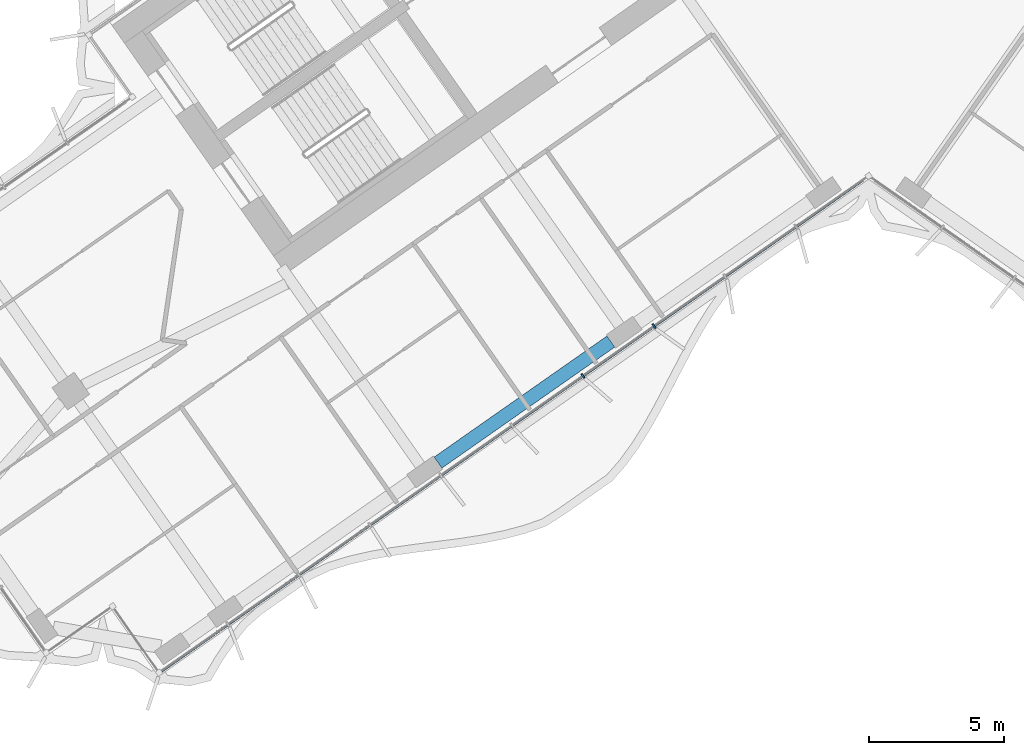
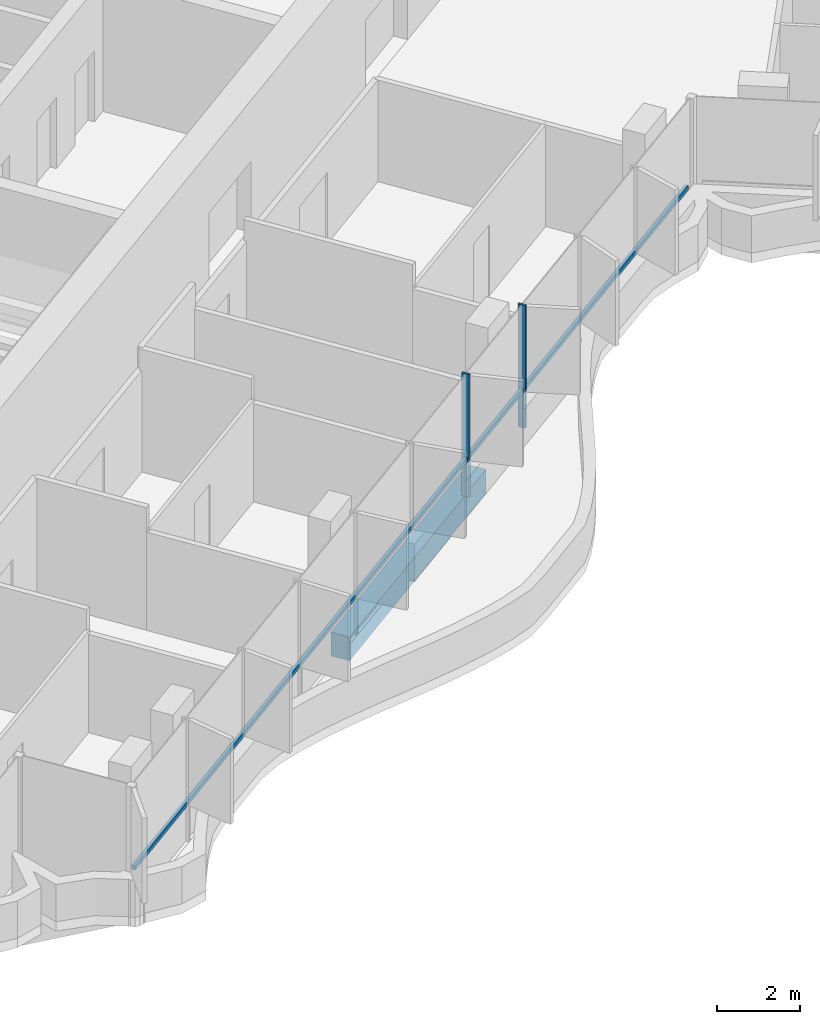
# One storey, part 3 of 23: 3 members, 1 beam, 1 element without a shape of its own.
"""IFC4 building model written with IfcOpenShell, lengths in metres."""

import ifcopenshell
import ifcopenshell.guid

model = None  # the IFC model being written
_history = None  # IfcOwnerHistory: only IFC2X3 demands one
_inside = {}  # id of a spatial element -> (the spatial element, [elements in it])
_under = {}  # id of a project, library or spatial element -> (it, [spatial elements below it])
_declared = {}  # id of a project -> (the project, [libraries it declares])
_typed = {}  # id of a type object -> (the type object, [elements of that type])
_made_of = {}  # id of a material, layer set ... -> (it, [elements and type objects made of it])


def new_model(schema):
    """Start an empty IFC model of exactly this schema.

    Asked for "IFC4X3", IfcOpenShell would pick the latest addendum, in which some entities
    have other attributes; the version numbers below select the first issue.
    IFC2X3 requires an IfcOwnerHistory on every rooted entity: one is made here for all.
    """
    global model, _history
    if schema == "IFC4X3":
        model = ifcopenshell.file(schema_version=(4, 3, 0, 0))
    else:
        model = ifcopenshell.file(schema=schema)
    _inside.clear()
    _under.clear()
    _declared.clear()
    _typed.clear()
    _made_of.clear()
    _history = None
    if model.schema == "IFC2X3":
        org = make("IfcOrganization", Name="unknown")
        user = make(
            "IfcPersonAndOrganization",
            ThePerson=make("IfcPerson", FamilyName="unknown"),
            TheOrganization=org,
        )
        app = make(
            "IfcApplication",
            ApplicationDeveloper=org,
            Version="unknown",
            ApplicationFullName="unknown",
            ApplicationIdentifier="unknown",
        )
        _history = make(
            "IfcOwnerHistory",
            OwningUser=user,
            OwningApplication=app,
            ChangeAction="ADDED",
            CreationDate=0,
        )
    return model


def make(cls, **values):
    """One entity of the class cls with the attributes given. An attribute that is None is left unset."""
    return model.create_entity(
        cls, **{name: value for name, value in values.items() if value is not None}
    )


def rooted(cls, **values):
    """An entity with a GlobalId (a new one), such as an element, a storey or a relation."""
    return make(cls, GlobalId=ifcopenshell.guid.new(), OwnerHistory=_history, **values)


def si_unit(unit_type, name, prefix=None):
    """IfcSIUnit, for example si_unit("LENGTHUNIT", "METRE", prefix="MILLI")."""
    return make("IfcSIUnit", UnitType=unit_type, Prefix=prefix, Name=name)


def assignment(units):
    """IfcUnitAssignment: the units of a project."""
    return None if units is None else make("IfcUnitAssignment", Units=units)


def point(xyz):
    """IfcCartesianPoint."""
    return None if xyz is None else make("IfcCartesianPoint", Coordinates=xyz)


def direction(xyz):
    """IfcDirection."""
    return None if xyz is None else make("IfcDirection", DirectionRatios=xyz)


def frame(location, z_axis=None, x_axis=None):
    """IfcAxis2Placement3D, a coordinate frame: its origin and axes. An axis left out is left unset."""
    return make(
        "IfcAxis2Placement3D",
        Location=point(location),
        Axis=direction(z_axis),
        RefDirection=direction(x_axis),
    )


def frame_2d(location, x_axis=None):
    """IfcAxis2Placement2D, a coordinate frame in the plane: its origin and x axis."""
    return make(
        "IfcAxis2Placement2D", Location=point(location), RefDirection=direction(x_axis)
    )


def origin():
    """The frame at (0, 0, 0) with its axes left unset."""
    return frame((0.0, 0.0, 0.0))


def origin_2d():
    """The frame at (0, 0) in the plane with its x axis left unset."""
    return frame_2d((0.0, 0.0))


def place(relative_to, where):
    """IfcLocalPlacement: puts the frame where relative to a parent placement (None: the world)."""
    return make(
        "IfcLocalPlacement", PlacementRelTo=relative_to, RelativePlacement=where
    )


def context(
    kind, dimensions, precision=None, world=None, true_north=None, identifier=None
):
    """IfcGeometricRepresentationContext, for example the 3D "Model" context."""
    return make(
        "IfcGeometricRepresentationContext",
        ContextIdentifier=identifier,
        ContextType=kind,
        CoordinateSpaceDimension=dimensions,
        Precision=precision,
        WorldCoordinateSystem=world,
        TrueNorth=true_north,
    )


def subcontext(parent, identifier, kind, view, scale=None):
    """IfcGeometricRepresentationSubContext, for example "Body" below "Model"."""
    return make(
        "IfcGeometricRepresentationSubContext",
        ContextIdentifier=identifier,
        ContextType=kind,
        ParentContext=parent,
        TargetScale=scale,
        TargetView=view,
    )


def project(units=None, contexts=None):
    """IfcProject with its units and contexts."""
    return rooted(
        "IfcProject",
        Name="project",
        RepresentationContexts=contexts,
        UnitsInContext=assignment(units),
    )


def spatial(cls, under=None, at=None, **own):
    """A site, building, storey or space (cls), placed at a placement, below another one or the project."""
    s = rooted(cls, ObjectPlacement=at, **own)
    if under is not None:
        _under.setdefault(under.id(), (under, []))[1].append(s)
    return s


def profile(cls, at=None, kind="AREA", **sizes):
    """A parametric profile (cls). Its sizes go by their IFC names, for example OverallWidth=200.0."""
    return make(cls, ProfileType=kind, Position=at, **sizes)


def rectangle(**sizes):
    """IfcRectangleProfileDef."""
    return profile("IfcRectangleProfileDef", **sizes)


def extrude(swept, where, along, depth):
    """IfcExtrudedAreaSolid: the profile swept, set in the frame where, extruded along a direction by depth."""
    return make(
        "IfcExtrudedAreaSolid",
        SweptArea=swept,
        Position=where,
        ExtrudedDirection=direction(along),
        Depth=depth,
    )


def shape(context_of_items, identifier, shape_type, items):
    """IfcShapeRepresentation: the items that make up one representation, for example the "Body"."""
    return make(
        "IfcShapeRepresentation",
        ContextOfItems=context_of_items,
        RepresentationIdentifier=identifier,
        RepresentationType=shape_type,
        Items=items,
    )


def material(Name=None, Category=None):
    """IfcMaterial."""
    return make("IfcMaterial", Name=Name, Category=Category)


def material_profile(
    of_material, cross_section, Name=None, Category=None, Priority=None
):
    """IfcMaterialProfile: a cross section and its material."""
    return make(
        "IfcMaterialProfile",
        Name=Name,
        Material=of_material,
        Profile=cross_section,
        Priority=Priority,
        Category=Category,
    )


def profile_set(profiles, Name=None, composite=None):
    """IfcMaterialProfileSet."""
    return make(
        "IfcMaterialProfileSet",
        Name=Name,
        MaterialProfiles=profiles,
        CompositeProfile=composite,
    )


def made_of(thing, what):
    """Note that an element or type object is made of a material, layer set ...; save() writes the relation."""
    if what is not None:
        _made_of.setdefault(what.id(), (what, []))[1].append(thing)
    return thing


def type_object(cls, material=None, **own):
    """A type object (cls), such as IfcWallType, which elements share."""
    return made_of(rooted(cls, **own), material)


def element(
    cls,
    number,
    at=None,
    inside=None,
    cuts=None,
    type_object=None,
    material=None,
    context=None,
    identifier="Body",
    shape_type=None,
    held_by="IfcProductDefinitionShape",
    body=None,
    shapes=None,
    **own,
):
    """One element of the class cls, such as IfcWall. Its Tag is "e" and its number.

    at: its placement. inside: the storey or other place that contains it. cuts: it is an
    opening in that element (IfcRelVoidsElement). A single representation is given by context,
    identifier, shape_type and body (its items); several are given by shapes. held_by: the class
    of the entity that holds the representations. save() writes the other relations.
    """
    e = rooted(cls, Tag="e%d" % number, ObjectPlacement=at, **own)
    if body is not None:
        shapes = [shape(context, identifier, shape_type, body)]
    if shapes is not None:
        e.Representation = make(held_by, Representations=shapes)
    if inside is not None:
        _inside.setdefault(inside.id(), (inside, []))[1].append(e)
    if cuts is not None:
        rooted(
            "IfcRelVoidsElement", RelatingBuildingElement=cuts, RelatedOpeningElement=e
        )
    if type_object is not None:
        _typed.setdefault(type_object.id(), (type_object, []))[1].append(e)
    return made_of(e, material)


def aggregate(whole, parts):
    """IfcRelAggregates: a whole, such as a stair, and the parts it consists of."""
    return rooted("IfcRelAggregates", RelatingObject=whole, RelatedObjects=parts)


def save(model, path):
    """Write the relations noted so far, then the file.

    IfcRelAggregates (storeys below a building ...), IfcRelContainedInSpatialStructure (elements
    in a storey), IfcRelDefinesByType, IfcRelAssociatesMaterial and IfcRelDeclares: one each for
    every whole, place, type object, material and project.
    """
    for whole, parts in _under.values():
        aggregate(whole, parts)
    for where, things in _inside.values():
        rooted(
            "IfcRelContainedInSpatialStructure",
            RelatedElements=things,
            RelatingStructure=where,
        )
    for kind, things in _typed.values():
        rooted("IfcRelDefinesByType", RelatedObjects=things, RelatingType=kind)
    for what, things in _made_of.values():
        rooted("IfcRelAssociatesMaterial", RelatedObjects=things, RelatingMaterial=what)
    for by, libraries in _declared.values():
        rooted("IfcRelDeclares", RelatingContext=by, RelatedDefinitions=libraries)
    model.write(path)


model = new_model("IFC4")

# Units and contexts
model_context = context("Model", 3, precision=1e-05, world=origin(), true_north=direction((0.0, 1.0)))
body_context = subcontext(model_context, "Body", "Model", "MODEL_VIEW")
ifc_project = project(units=[si_unit("LENGTHUNIT", "METRE"), si_unit("AREAUNIT", "SQUARE_METRE"), si_unit("VOLUMEUNIT", "CUBIC_METRE"), si_unit("PLANEANGLEUNIT", "RADIAN"), si_unit("MASSUNIT", "GRAM", prefix="KILO")], contexts=[model_context])

# Site, building, storey
site_placement = place(None, origin())
site = spatial("IfcSite", under=ifc_project, at=site_placement, CompositionType="ELEMENT")
building_placement = place(site_placement, origin())
building = spatial("IfcBuilding", under=site, at=building_placement, Name="Tel Ilan Convention Tower", CompositionType="ELEMENT")
storey_placement = place(building_placement, frame((0.0, 0.0, 194.39990234375)))
storey = spatial("IfcBuildingStorey", under=building, at=storey_placement, Name="L45", CompositionType="ELEMENT", Elevation=194.39990234375)

# Beam
ifc_material_1 = material(Name="Concrete C40/50", Category="concrete")
ifc_material_profile_1 = material_profile(ifc_material_1, rectangle(XDim=0.5, YDim=0.699951171875, at=origin_2d()), Name="RC 500x700")
ifc_profile_set_1 = profile_set([ifc_material_profile_1], Name="Concrete C40/50")
beam_type = type_object("IfcBeamType", Name="Beam RC 500x700 Concrete C40/50", PredefinedType="BEAM", material=ifc_profile_set_1)
beam_placement = place(storey_placement, frame((-9.529052734375, -18.819091796875, -0.6298828125), z_axis=(-0.819153977895, -0.573573674866, 0.0), x_axis=(0.573573674866, -0.819153977895, 0.0)))
element("IfcBeam", 1, at=beam_placement, inside=storey, type_object=beam_type, Name="L45 beam W-W-F2-W-F3", PredefinedType="BEAM", context=body_context, shape_type="SweptSolid", body=[
    extrude(rectangle(XDim=0.5, YDim=0.699951171875, at=origin_2d()), origin(), (0.0, 0.0, 1.0), 7.800048828125),
])

# Curtain wall, members
ifc_material_2 = material(Name="Aluminium, bronze anodised", Category="aluminium")
curtain_wall_type = type_object("IfcCurtainWallType", Name="CW4 STICK CURTAIN WALL, OFFICE TINTED GLASS", PredefinedType="NOTDEFINED", material=ifc_material_2)
curtain_wall_placement = place(storey_placement, origin())
curtain_wall = element("IfcCurtainWall", 2, at=curtain_wall_placement, inside=storey, type_object=curtain_wall_type, Name="Curtain wall CW4-35.02", PredefinedType="NOTDEFINED")
ifc_material_3 = material(Name="Aluminium, bronze anodised", Category="aluminium")
ifc_material_profile_2 = material_profile(ifc_material_3, rectangle(XDim=0.06005859375, YDim=0.199951171875, at=origin_2d()), Name="CW MULLION 60x200")
ifc_profile_set_2 = profile_set([ifc_material_profile_2], Name="Aluminium, bronze anodised")
member_type_1 = type_object("IfcMemberType", Name="CW MULLION 60x200", PredefinedType="MULLION", material=ifc_profile_set_2)
member_1_placement = place(storey_placement, frame((-10.55810546875, -20.0888671875, 0.0), z_axis=(0.0, 0.0, 1.0), x_axis=(0.819152044289, 0.573576436351, 0.0)))
member_1 = element("IfcMember", 3, at=member_1_placement, type_object=member_type_1, Name="Mullion", PredefinedType="MULLION", context=body_context, shape_type="SweptSolid", body=[
    extrude(rectangle(XDim=0.06005859375, YDim=0.199951171875, at=origin_2d()), origin(), (0.0, 0.0, 1.0), 3.6201171875),
])
member_2_placement = place(storey_placement, frame((-7.932861328125, -18.250732421875, 0.0), z_axis=(0.0, 0.0, 1.0), x_axis=(0.819152044289, 0.573576436351, 0.0)))
member_2 = element("IfcMember", 4, at=member_2_placement, type_object=member_type_1, Name="Mullion", PredefinedType="MULLION", context=body_context, shape_type="SweptSolid", body=[
    extrude(rectangle(XDim=0.06005859375, YDim=0.199951171875, at=origin_2d()), origin(), (0.0, 0.0, 1.0), 3.6201171875),
])
ifc_material_4 = material(Name="Aluminium, bronze anodised", Category="aluminium")
ifc_material_profile_3 = material_profile(ifc_material_4, rectangle(XDim=0.10009765625, YDim=0.1201171875, at=origin_2d()), Name="CW TRANSOM 100x120")
ifc_profile_set_3 = profile_set([ifc_material_profile_3], Name="Aluminium, bronze anodised")
member_type_2 = type_object("IfcMemberType", Name="CW TRANSOM 100x120", PredefinedType="USERDEFINED", material=ifc_profile_set_3)
member_3_placement = place(storey_placement, frame((-26.1455078125, -31.00341796875, 1.10009765625), z_axis=(0.819149281128, 0.573580382534, 0.0), x_axis=(-0.573580382534, 0.819149281128, 0.0)))
member_3 = element("IfcMember", 5, at=member_3_placement, type_object=member_type_2, Name="Transom", ObjectType="TRANSOM", PredefinedType="USERDEFINED", context=body_context, shape_type="SweptSolid", body=[
    extrude(rectangle(XDim=0.10009765625, YDim=0.1201171875, at=origin_2d()), origin(), (0.0, 0.0, 1.0), 31.64794921875),
])
aggregate(curtain_wall, [member_1, member_2, member_3])

save(model, "model.ifc")
